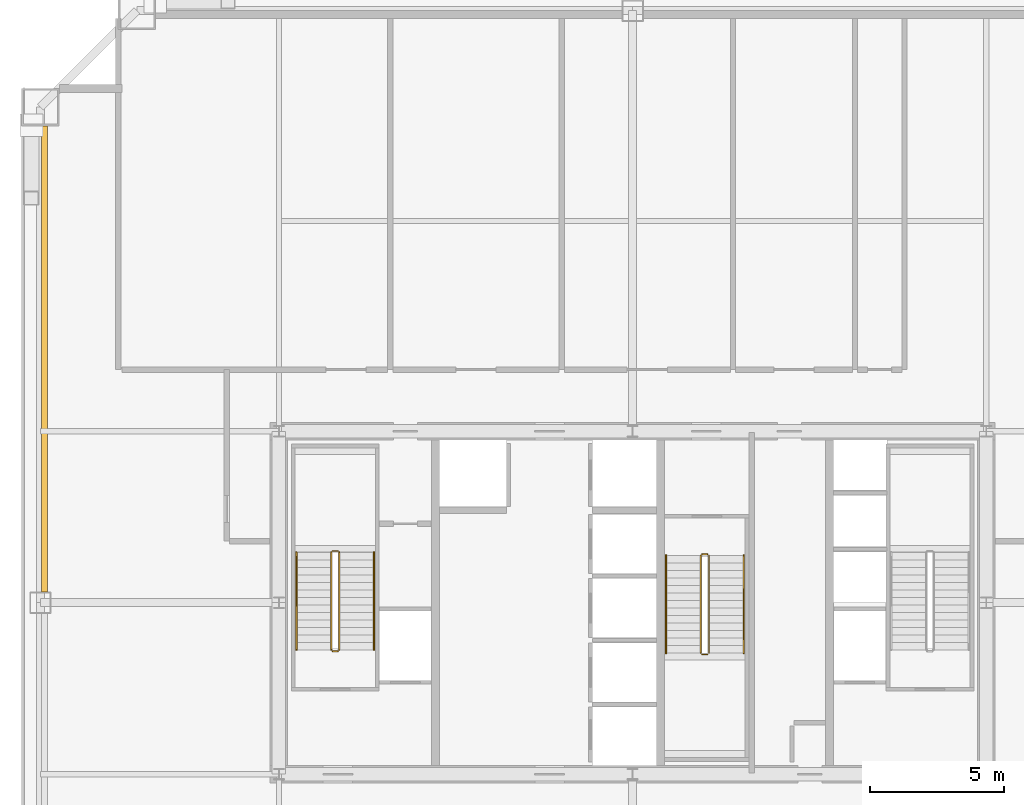
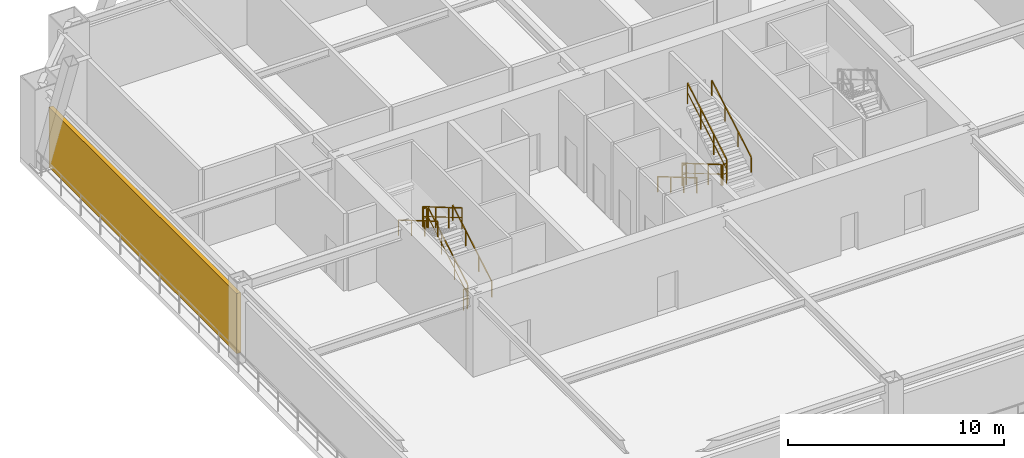
# One storey, part 8 of 9: 12 railings, 1 shading device.
"""IFC4 building model written with IfcOpenShell, lengths in metres."""

from ifc_helpers import new_model, si_unit, direction, frame, origin, origin_2d, place, context, subcontext, project, spatial, rectangle, extrude, source, transform, mapped, material, layer, layer_set, type_object, element, save


model = new_model("IFC4")

# Units and contexts
model_context = context("Model", 3, precision=1e-05, world=origin(), true_north=direction((0.0, 1.0)))
body_context = subcontext(model_context, "Body", "Model", "MODEL_VIEW")
ifc_project = project(units=[si_unit("LENGTHUNIT", "METRE"), si_unit("AREAUNIT", "SQUARE_METRE"), si_unit("VOLUMEUNIT", "CUBIC_METRE"), si_unit("PLANEANGLEUNIT", "RADIAN"), si_unit("MASSUNIT", "GRAM", prefix="KILO"), si_unit("THERMODYNAMICTEMPERATUREUNIT", "KELVIN"), si_unit("POWERUNIT", "WATT")], contexts=[model_context])

# Site, building, storey
site_placement = place(None, origin())
site = spatial("IfcSite", under=ifc_project, at=site_placement, CompositionType="ELEMENT")
building_placement = place(site_placement, origin())
building = spatial("IfcBuilding", under=site, at=building_placement, Name="Yuzanri Waterfront Tower", CompositionType="ELEMENT")
storey_placement = place(building_placement, frame((0.0, 0.0, 176.39990234375)))
storey = spatial("IfcBuildingStorey", under=building, at=storey_placement, Name="L46", CompositionType="ELEMENT", Elevation=176.39990234375)

# Shading device
ifc_material_1 = material(Name="Anodized Architectural Bronze", Category="metal")
ifc_layer_1 = layer(ifc_material_1, 0.219970703125)
ifc_layer_set_1 = layer_set([ifc_layer_1], Name="Anodized Architectural Bronze")
shading_device_type = type_object("IfcShadingDeviceType", Name="Anodized Bronze Refuge Wind-Diffusing Louvre Screen 220", PredefinedType="USERDEFINED", material=ifc_layer_set_1)
shared_shape_1 = source(origin(), body_context, "Body", "SweptSolid", [
    extrude(rectangle(XDim=0.219970703125, YDim=17.39990234375, at=origin_2d()), origin(), (0.0, 0.0, 1.0), 3.39990234375),
])
shading_device_placement = place(storey_placement, frame((15.050048828125, 34.89990234375, 0.000244140625), z_axis=(0.0, 0.0, 1.0), x_axis=(1.0, 0.0, 0.0)))
element("IfcShadingDevice", 1, at=shading_device_placement, inside=storey, type_object=shading_device_type, Name="L46 Wind-Diffusing Refuge Louvre WR", ObjectType="LOUVRE", PredefinedType="USERDEFINED", context=body_context, shape_type="MappedRepresentation", body=[
    mapped(shared_shape_1, transform((0.0, 0.0, 0.0), scale=1.0)),
])

# Railings
ifc_material_2 = material(Name="Painted Galvanized Fire Steel", Category="steel")
ifc_layer_2 = layer(ifc_material_2, 0.06005859375)
ifc_layer_set_2 = layer_set([ifc_layer_2], Name="Painted Galvanized Fire Steel")
railing_type_1 = type_object("IfcRailingType", Name="Painted Steel Stairwell Guardrail 1120", PredefinedType="GUARDRAIL", material=ifc_layer_set_2)
shared_shape_2 = source(origin(), body_context, "Body", "SweptSolid", [
    extrude(rectangle(XDim=0.050048828125, YDim=0.050048828125, at=origin_2d()), frame((0.0, 0.0, 1.1748046875), z_axis=(-1.0, 0.0, 0.0), x_axis=(0.0, -1.0, 0.0)), (0.0, 0.0, 1.0), 0.199951171875),
    extrude(rectangle(XDim=0.035888671875, YDim=0.030029296875, at=origin_2d()), frame((0.0, 0.0, 0.6240234375), z_axis=(-1.0, 0.0, 0.0), x_axis=(0.0, -1.0, 0.0)), (0.0, 0.0, 1.0), 0.199951171875),
    extrude(rectangle(XDim=0.0458984375, YDim=0.0458984375, at=origin_2d()), origin(), (0.0, 0.0, 1.0), 1.14990234375),
    extrude(rectangle(XDim=0.0458984375, YDim=0.0458984375, at=origin_2d()), frame((-0.199951171875, 0.0, 0.0)), (0.0, 0.0, 1.0), 1.14990234375),
])
for number, where, name in (
    (2, (26.0, 27.72998046875, 2.300048828125), "L46 ST-01 stair guard 2"),
    (3, (26.0, 23.989990234375, 0.0), "L46 ST-01 stair guard 4"),
):
    element("IfcRailing", number, at=place(storey_placement, frame(where)), inside=storey, type_object=railing_type_1, Name=name, PredefinedType="GUARDRAIL", context=body_context, shape_type="MappedRepresentation", body=[
        mapped(shared_shape_2, transform((0.0, 0.0, 0.0), scale=1.0)),
    ])
shared_shape_3 = source(origin(), body_context, "Body", "SweptSolid", [
    extrude(rectangle(XDim=0.050048828125, YDim=0.050048828125, at=origin_2d()), frame((0.0, 0.0, 1.1748046875), z_axis=(0.0, 0.862489892076, 0.506074289079), x_axis=(-1.0, 0.0, 0.0)), (0.0, 0.0, 1.0), 4.22021484375),
    extrude(rectangle(XDim=0.035888671875, YDim=0.030029296875, at=origin_2d()), frame((0.0, 0.0, 0.6240234375), z_axis=(0.0, 0.862489892076, 0.506074289079), x_axis=(-1.0, 0.0, 0.0)), (0.0, 0.0, 1.0), 4.22021484375),
    extrude(rectangle(XDim=0.0458984375, YDim=0.0458984375, at=origin_2d()), origin(), (0.0, 0.0, 1.0), 1.14990234375),
    extrude(rectangle(XDim=0.0458984375, YDim=0.0458984375, at=origin_2d()), frame((0.0, 1.21337890625, 0.7119140625)), (0.0, 0.0, 1.0), 1.14990234375),
    extrude(rectangle(XDim=0.0458984375, YDim=0.0458984375, at=origin_2d()), frame((0.0, 2.426513671875, 1.423828125)), (0.0, 0.0, 1.0), 1.14990234375),
    extrude(rectangle(XDim=0.0458984375, YDim=0.0458984375, at=origin_2d()), frame((0.0, 3.639892578125, 2.1357421875)), (0.0, 0.0, 1.0), 1.14990234375),
])
railing_1_placement = place(storey_placement, frame((26.050048828125, 24.0400390625, 0.164306640625)))
element("IfcRailing", 4, at=railing_1_placement, inside=storey, type_object=railing_type_1, Name="L46 ST-01 stair guard 1", PredefinedType="GUARDRAIL", context=body_context, shape_type="MappedRepresentation", body=[
    mapped(shared_shape_3, transform((0.0, 0.0, 0.0), scale=1.0)),
])
shared_shape_4 = source(origin(), body_context, "Body", "SweptSolid", [
    extrude(rectangle(XDim=0.050048828125, YDim=0.050048828125, at=origin_2d()), frame((0.0, 0.0, 1.1748046875), z_axis=(0.0, -0.862489892076, 0.506074289079), x_axis=(1.0, 0.0, 0.0)), (0.0, 0.0, 1.0), 4.22021484375),
    extrude(rectangle(XDim=0.035888671875, YDim=0.030029296875, at=origin_2d()), frame((0.0, 0.0, 0.6240234375), z_axis=(0.0, -0.862489892076, 0.506074289079), x_axis=(1.0, 0.0, 0.0)), (0.0, 0.0, 1.0), 4.22021484375),
    extrude(rectangle(XDim=0.0458984375, YDim=0.0458984375, at=origin_2d()), origin(), (0.0, 0.0, 1.0), 1.14990234375),
    extrude(rectangle(XDim=0.0458984375, YDim=0.0458984375, at=origin_2d()), frame((0.0, -1.21337890625, 0.7119140625)), (0.0, 0.0, 1.0), 1.14990234375),
    extrude(rectangle(XDim=0.0458984375, YDim=0.0458984375, at=origin_2d()), frame((0.0, -2.426513671875, 1.423828125)), (0.0, 0.0, 1.0), 1.14990234375),
    extrude(rectangle(XDim=0.0458984375, YDim=0.0458984375, at=origin_2d()), frame((0.0, -3.639892578125, 2.1357421875)), (0.0, 0.0, 1.0), 1.14990234375),
])
railing_2_placement = place(storey_placement, frame((25.75, 27.679931640625, 2.46435546875)))
element("IfcRailing", 5, at=railing_2_placement, inside=storey, type_object=railing_type_1, Name="L46 ST-01 stair guard 3", PredefinedType="GUARDRAIL", context=body_context, shape_type="MappedRepresentation", body=[
    mapped(shared_shape_4, transform((0.0, 0.0, 0.0), scale=1.0)),
])
ifc_material_3 = material(Name="Anodized Architectural Bronze", Category="metal")
ifc_layer_3 = layer(ifc_material_3, 0.050048828125)
ifc_layer_set_3 = layer_set([ifc_layer_3], Name="Anodized Architectural Bronze")
railing_type_2 = type_object("IfcRailingType", Name="Brushed Bronze Stair Pitch Handrail 920", PredefinedType="HANDRAIL", material=ifc_layer_set_3)
shared_shape_5 = source(origin(), body_context, "Body", "SweptSolid", [
    extrude(rectangle(XDim=0.050048828125, YDim=0.050048828125, at=origin_2d()), frame((0.0, 0.0, 0.875), z_axis=(0.0, 0.862489892076, 0.506074289079), x_axis=(-1.0, 0.0, 0.0)), (0.0, 0.0, 1.0), 4.22021484375),
    extrude(rectangle(XDim=0.0458984375, YDim=0.0458984375, at=origin_2d()), origin(), (0.0, 0.0, 1.0), 0.849853515625),
    extrude(rectangle(XDim=0.0458984375, YDim=0.0458984375, at=origin_2d()), frame((0.0, 1.21337890625, 0.7119140625)), (0.0, 0.0, 1.0), 0.849853515625),
    extrude(rectangle(XDim=0.0458984375, YDim=0.0458984375, at=origin_2d()), frame((0.0, 2.426513671875, 1.423828125)), (0.0, 0.0, 1.0), 0.849853515625),
    extrude(rectangle(XDim=0.0458984375, YDim=0.0458984375, at=origin_2d()), frame((0.0, 3.639892578125, 2.1357421875)), (0.0, 0.0, 1.0), 0.849853515625),
])
railing_3_placement = place(storey_placement, frame((27.35009765625, 24.0400390625, 0.164306640625)))
element("IfcRailing", 6, at=railing_3_placement, inside=storey, type_object=railing_type_2, Name="L46 ST-01 stair handrail 1", PredefinedType="HANDRAIL", context=body_context, shape_type="MappedRepresentation", body=[
    mapped(shared_shape_5, transform((0.0, 0.0, 0.0), scale=1.0)),
])
shared_shape_6 = source(origin(), body_context, "Body", "SweptSolid", [
    extrude(rectangle(XDim=0.050048828125, YDim=0.050048828125, at=origin_2d()), frame((0.0, 0.0, 0.875), z_axis=(0.0, -0.862489892076, 0.506074289079), x_axis=(1.0, 0.0, 0.0)), (0.0, 0.0, 1.0), 4.22021484375),
    extrude(rectangle(XDim=0.0458984375, YDim=0.0458984375, at=origin_2d()), origin(), (0.0, 0.0, 1.0), 0.849853515625),
    extrude(rectangle(XDim=0.0458984375, YDim=0.0458984375, at=origin_2d()), frame((0.0, -1.21337890625, 0.7119140625)), (0.0, 0.0, 1.0), 0.849853515625),
    extrude(rectangle(XDim=0.0458984375, YDim=0.0458984375, at=origin_2d()), frame((0.0, -2.426513671875, 1.423828125)), (0.0, 0.0, 1.0), 0.849853515625),
    extrude(rectangle(XDim=0.0458984375, YDim=0.0458984375, at=origin_2d()), frame((0.0, -3.639892578125, 2.1357421875)), (0.0, 0.0, 1.0), 0.849853515625),
])
railing_4_placement = place(storey_placement, frame((24.449951171875, 27.679931640625, 2.46435546875)))
element("IfcRailing", 7, at=railing_4_placement, inside=storey, type_object=railing_type_2, Name="L46 ST-01 stair handrail 2", PredefinedType="HANDRAIL", context=body_context, shape_type="MappedRepresentation", body=[
    mapped(shared_shape_6, transform((0.0, 0.0, 0.0), scale=1.0)),
])
shared_shape_7 = source(origin(), body_context, "Body", "SweptSolid", [
    extrude(rectangle(XDim=0.050048828125, YDim=0.050048828125, at=origin_2d()), frame((0.0, 0.0, 1.1748046875), z_axis=(1.0, 0.0, 0.0), x_axis=(0.0, 1.0, 0.0)), (0.0, 0.0, 1.0), 0.199951171875),
    extrude(rectangle(XDim=0.035888671875, YDim=0.030029296875, at=origin_2d()), frame((0.0, 0.0, 0.6240234375), z_axis=(1.0, 0.0, 0.0), x_axis=(0.0, 1.0, 0.0)), (0.0, 0.0, 1.0), 0.199951171875),
    extrude(rectangle(XDim=0.0458984375, YDim=0.0458984375, at=origin_2d()), origin(), (0.0, 0.0, 1.0), 1.14990234375),
    extrude(rectangle(XDim=0.0458984375, YDim=0.0458984375, at=origin_2d()), frame((0.199951171875, 0.0, 0.0)), (0.0, 0.0, 1.0), 1.14990234375),
])
for number, where, name in (
    (8, (39.60009765625, 23.8701171875, 2.300048828125), "L46 ST-03 stair guard 2"),
    (9, (39.60009765625, 27.610107421875, 0.0), "L46 ST-03 stair guard 4"),
):
    element("IfcRailing", number, at=place(storey_placement, frame(where)), inside=storey, type_object=railing_type_1, Name=name, PredefinedType="GUARDRAIL", context=body_context, shape_type="MappedRepresentation", body=[
        mapped(shared_shape_7, transform((0.0, 0.0, 0.0), scale=1.0)),
    ])
shared_shape_8 = source(origin(), body_context, "Body", "SweptSolid", [
    extrude(rectangle(XDim=0.050048828125, YDim=0.050048828125, at=origin_2d()), frame((0.0, 0.0, 1.1748046875), z_axis=(0.0, -0.862504707072, 0.506049039401), x_axis=(1.0, 0.0, 0.0)), (0.0, 0.0, 1.0), 4.220458984375),
    extrude(rectangle(XDim=0.035888671875, YDim=0.030029296875, at=origin_2d()), frame((0.0, 0.0, 0.6240234375), z_axis=(0.0, -0.862504707072, 0.506049039401), x_axis=(1.0, 0.0, 0.0)), (0.0, 0.0, 1.0), 4.220458984375),
    extrude(rectangle(XDim=0.0458984375, YDim=0.0458984375, at=origin_2d()), origin(), (0.0, 0.0, 1.0), 1.14990234375),
    extrude(rectangle(XDim=0.0458984375, YDim=0.0458984375, at=origin_2d()), frame((0.0, -1.21337890625, 0.7119140625)), (0.0, 0.0, 1.0), 1.14990234375),
    extrude(rectangle(XDim=0.0458984375, YDim=0.0458984375, at=origin_2d()), frame((0.0, -2.4267578125, 1.423828125)), (0.0, 0.0, 1.0), 1.14990234375),
    extrude(rectangle(XDim=0.0458984375, YDim=0.0458984375, at=origin_2d()), frame((0.0, -3.64013671875, 2.1357421875)), (0.0, 0.0, 1.0), 1.14990234375),
])
railing_5_placement = place(storey_placement, frame((39.550048828125, 27.56005859375, 0.164306640625)))
element("IfcRailing", 10, at=railing_5_placement, inside=storey, type_object=railing_type_1, Name="L46 ST-03 stair guard 1", PredefinedType="GUARDRAIL", context=body_context, shape_type="MappedRepresentation", body=[
    mapped(shared_shape_8, transform((0.0, 0.0, 0.0), scale=1.0)),
])
shared_shape_9 = source(origin(), body_context, "Body", "SweptSolid", [
    extrude(rectangle(XDim=0.050048828125, YDim=0.050048828125, at=origin_2d()), frame((0.0, 0.0, 1.1748046875), z_axis=(0.0, 0.862504707072, 0.506049039401), x_axis=(-1.0, 0.0, 0.0)), (0.0, 0.0, 1.0), 4.220458984375),
    extrude(rectangle(XDim=0.035888671875, YDim=0.030029296875, at=origin_2d()), frame((0.0, 0.0, 0.6240234375), z_axis=(0.0, 0.862504707072, 0.506049039401), x_axis=(-1.0, 0.0, 0.0)), (0.0, 0.0, 1.0), 4.220458984375),
    extrude(rectangle(XDim=0.0458984375, YDim=0.0458984375, at=origin_2d()), origin(), (0.0, 0.0, 1.0), 1.14990234375),
    extrude(rectangle(XDim=0.0458984375, YDim=0.0458984375, at=origin_2d()), frame((0.0, 1.21337890625, 0.7119140625)), (0.0, 0.0, 1.0), 1.14990234375),
    extrude(rectangle(XDim=0.0458984375, YDim=0.0458984375, at=origin_2d()), frame((0.0, 2.4267578125, 1.423828125)), (0.0, 0.0, 1.0), 1.14990234375),
    extrude(rectangle(XDim=0.0458984375, YDim=0.0458984375, at=origin_2d()), frame((0.0, 3.64013671875, 2.1357421875)), (0.0, 0.0, 1.0), 1.14990234375),
])
railing_6_placement = place(storey_placement, frame((39.85009765625, 23.919921875, 2.46435546875)))
element("IfcRailing", 11, at=railing_6_placement, inside=storey, type_object=railing_type_1, Name="L46 ST-03 stair guard 3", PredefinedType="GUARDRAIL", context=body_context, shape_type="MappedRepresentation", body=[
    mapped(shared_shape_9, transform((0.0, 0.0, 0.0), scale=1.0)),
])
shared_shape_10 = source(origin(), body_context, "Body", "SweptSolid", [
    extrude(rectangle(XDim=0.050048828125, YDim=0.050048828125, at=origin_2d()), frame((0.0, 0.0, 0.875), z_axis=(0.0, -0.862504707072, 0.506049039401), x_axis=(1.0, 0.0, 0.0)), (0.0, 0.0, 1.0), 4.220458984375),
    extrude(rectangle(XDim=0.0458984375, YDim=0.0458984375, at=origin_2d()), origin(), (0.0, 0.0, 1.0), 0.849853515625),
    extrude(rectangle(XDim=0.0458984375, YDim=0.0458984375, at=origin_2d()), frame((0.0, -1.21337890625, 0.7119140625)), (0.0, 0.0, 1.0), 0.849853515625),
    extrude(rectangle(XDim=0.0458984375, YDim=0.0458984375, at=origin_2d()), frame((0.0, -2.4267578125, 1.423828125)), (0.0, 0.0, 1.0), 0.849853515625),
    extrude(rectangle(XDim=0.0458984375, YDim=0.0458984375, at=origin_2d()), frame((0.0, -3.64013671875, 2.1357421875)), (0.0, 0.0, 1.0), 0.849853515625),
])
railing_7_placement = place(storey_placement, frame((38.25, 27.56005859375, 0.164306640625)))
element("IfcRailing", 12, at=railing_7_placement, inside=storey, type_object=railing_type_2, Name="L46 ST-03 stair handrail 1", PredefinedType="HANDRAIL", context=body_context, shape_type="MappedRepresentation", body=[
    mapped(shared_shape_10, transform((0.0, 0.0, 0.0), scale=1.0)),
])
shared_shape_11 = source(origin(), body_context, "Body", "SweptSolid", [
    extrude(rectangle(XDim=0.050048828125, YDim=0.050048828125, at=origin_2d()), frame((0.0, 0.0, 0.875), z_axis=(0.0, 0.862504707072, 0.506049039401), x_axis=(-1.0, 0.0, 0.0)), (0.0, 0.0, 1.0), 4.220458984375),
    extrude(rectangle(XDim=0.0458984375, YDim=0.0458984375, at=origin_2d()), origin(), (0.0, 0.0, 1.0), 0.849853515625),
    extrude(rectangle(XDim=0.0458984375, YDim=0.0458984375, at=origin_2d()), frame((0.0, 1.21337890625, 0.7119140625)), (0.0, 0.0, 1.0), 0.849853515625),
    extrude(rectangle(XDim=0.0458984375, YDim=0.0458984375, at=origin_2d()), frame((0.0, 2.4267578125, 1.423828125)), (0.0, 0.0, 1.0), 0.849853515625),
    extrude(rectangle(XDim=0.0458984375, YDim=0.0458984375, at=origin_2d()), frame((0.0, 3.64013671875, 2.1357421875)), (0.0, 0.0, 1.0), 0.849853515625),
])
railing_8_placement = place(storey_placement, frame((41.14990234375, 23.919921875, 2.46435546875)))
element("IfcRailing", 13, at=railing_8_placement, inside=storey, type_object=railing_type_2, Name="L46 ST-03 stair handrail 2", PredefinedType="HANDRAIL", context=body_context, shape_type="MappedRepresentation", body=[
    mapped(shared_shape_11, transform((0.0, 0.0, 0.0), scale=1.0)),
])

save(model, "model.ifc")
